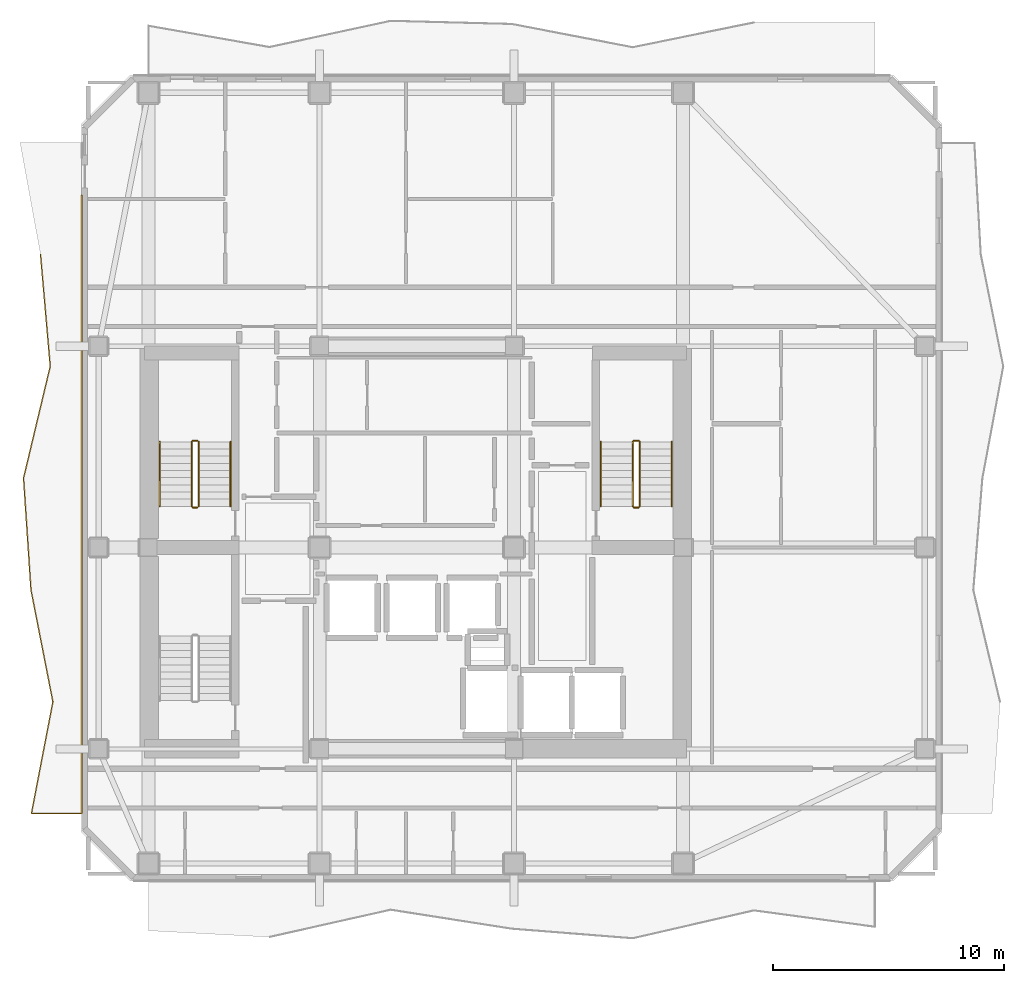
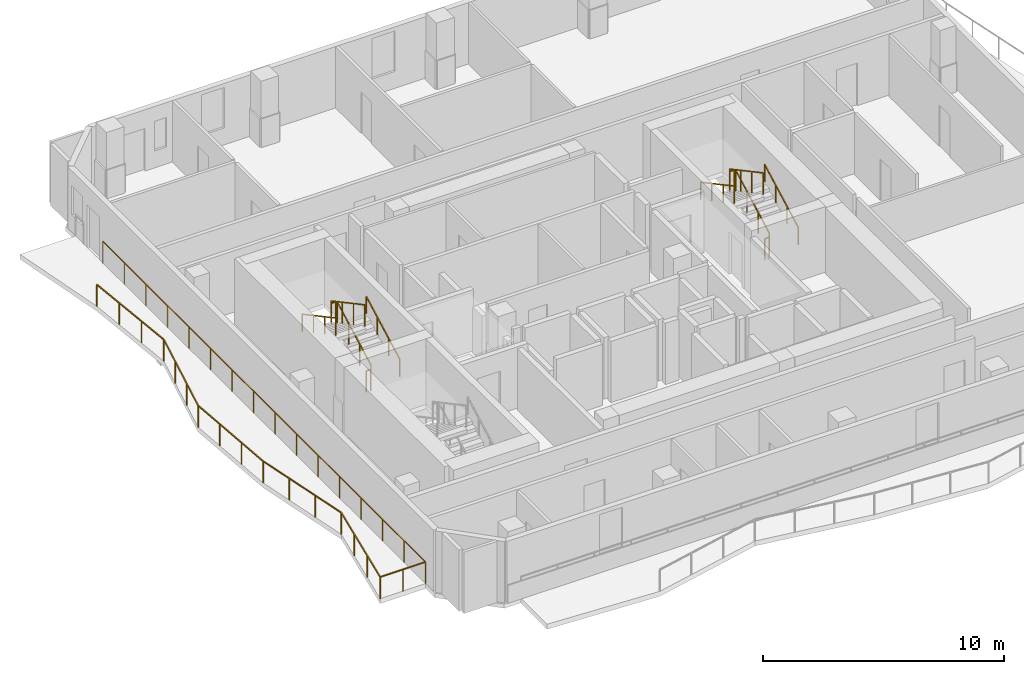
# One storey, part 8 of 9: 13 railings.
"""IFC4 building model written with IfcOpenShell, lengths in metres."""

from ifc_helpers import new_model, si_unit, direction, frame, origin, origin_2d, place, context, subcontext, project, spatial, rectangle, extrude, material, type_object, element, save


model = new_model("IFC4")

# Units and contexts
model_context = context("Model", 3, precision=1e-05, world=origin(), true_north=direction((0.0, 1.0)))
body_context = subcontext(model_context, "Body", "Model", "MODEL_VIEW")
ifc_project = project(units=[si_unit("LENGTHUNIT", "METRE"), si_unit("AREAUNIT", "SQUARE_METRE"), si_unit("VOLUMEUNIT", "CUBIC_METRE"), si_unit("PLANEANGLEUNIT", "RADIAN"), si_unit("MASSUNIT", "GRAM", prefix="KILO")], contexts=[model_context])

# Site, building, storey
site_placement = place(None, origin())
site = spatial("IfcSite", under=ifc_project, at=site_placement, CompositionType="ELEMENT")
building_placement = place(site_placement, origin())
building = spatial("IfcBuilding", under=site, at=building_placement, Name="Solanera Arch Residences", CompositionType="ELEMENT")
storey_placement = place(building_placement, frame((0.0, 0.0, 237.919921875)))
storey = spatial("IfcBuildingStorey", under=building, at=storey_placement, Name="L69", CompositionType="ELEMENT", Elevation=237.919921875)

# Railings
ifc_material_1 = material(Name="Steel S355 (ASTM A992 / A572 Grade 50)", Category="steel")
railing_type_1 = type_object("IfcRailingType", Name="Balustrade Railing BL-1100", PredefinedType="BALUSTRADE", material=ifc_material_1)
railing_1_placement = place(storey_placement, frame((8.735107421875, 43.366943359375, 0.0)))
element("IfcRailing", 1, at=railing_1_placement, inside=storey, type_object=railing_type_1, Name="L69 W Balcony Balustrade 1", PredefinedType="BALUSTRADE", context=body_context, shape_type="SweptSolid", body=[
    extrude(rectangle(XDim=0.048095703125, YDim=0.048095703125, at=origin_2d()), frame((0.0, 0.0, 1.09619140625), z_axis=(0.08654276741, -0.996248136465, 0.0), x_axis=(0.996248136465, 0.08654276741, 0.0)), (0.0, 0.0, 1.0), 4.852294921875),
    extrude(rectangle(XDim=0.048095703125, YDim=0.048095703125, at=origin_2d()), frame((0.419921875, -4.833984375, 1.09619140625), z_axis=(-0.23207000339, -0.972699086833, 0.0), x_axis=(0.972699086833, -0.23207000339, 0.0)), (0.0, 0.0, 1.0), 4.96875),
    extrude(rectangle(XDim=0.048095703125, YDim=0.048095703125, at=origin_2d()), frame((-0.733154296875, -9.6669921875, 1.09619140625), z_axis=(0.06628148456, -0.997800964524, 0.0), x_axis=(0.997800964524, 0.06628148456, 0.0)), (0.0, 0.0, 1.0), 4.84375),
    extrude(rectangle(XDim=0.048095703125, YDim=0.048095703125, at=origin_2d()), frame((-0.412109375, -14.5, 1.09619140625), z_axis=(0.192254429315, -0.981345114834, 0.0), x_axis=(0.981345114834, 0.192254429315, 0.0)), (0.0, 0.0, 1.0), 4.92578125),
    extrude(rectangle(XDim=0.048095703125, YDim=0.048095703125, at=origin_2d()), frame((0.534912109375, -19.333984375, 1.09619140625), z_axis=(-0.188755396587, -0.982024134255, 0.0), x_axis=(0.982024134255, -0.188755396587, 0.0)), (0.0, 0.0, 1.0), 4.92138671875),
    extrude(rectangle(XDim=0.048095703125, YDim=0.048095703125, at=origin_2d()), frame((-0.39404296875, -24.1669921875, 1.09619140625), z_axis=(1.0, 0.0, 0.0), x_axis=(0.0, 1.0, 0.0)), (0.0, 0.0, 1.0), 2.178955078125),
    extrude(rectangle(XDim=0.048095703125, YDim=0.048095703125, at=origin_2d()), frame((1.784912109375, -24.1669921875, 1.09619140625), z_axis=(0.0, 1.0, 0.0), x_axis=(-1.0, 0.0, 0.0)), (0.0, 0.0, 1.0), 26.739990234375),
    extrude(rectangle(XDim=0.0419921875, YDim=0.0419921875, at=origin_2d()), origin(), (0.0, 0.0, 1.0), 1.072021484375),
    extrude(rectangle(XDim=0.0419921875, YDim=0.0419921875, at=origin_2d()), frame((0.139892578125, -1.611328125, 0.0)), (0.0, 0.0, 1.0), 1.072021484375),
    extrude(rectangle(XDim=0.0419921875, YDim=0.0419921875, at=origin_2d()), frame((0.280029296875, -3.22265625, 0.0)), (0.0, 0.0, 1.0), 1.072021484375),
    extrude(rectangle(XDim=0.0419921875, YDim=0.0419921875, at=origin_2d()), frame((0.419921875, -4.833984375, 0.0)), (0.0, 0.0, 1.0), 1.072021484375),
    extrude(rectangle(XDim=0.0419921875, YDim=0.0419921875, at=origin_2d()), frame((0.03564453125, -6.445068359375, 0.0)), (0.0, 0.0, 1.0), 1.072021484375),
    extrude(rectangle(XDim=0.0419921875, YDim=0.0419921875, at=origin_2d()), frame((-0.348876953125, -8.055908203125, 0.0)), (0.0, 0.0, 1.0), 1.072021484375),
    extrude(rectangle(XDim=0.0419921875, YDim=0.0419921875, at=origin_2d()), frame((-0.733154296875, -9.6669921875, 0.0)), (0.0, 0.0, 1.0), 1.072021484375),
    extrude(rectangle(XDim=0.0419921875, YDim=0.0419921875, at=origin_2d()), frame((-0.626220703125, -11.278076171875, 0.0)), (0.0, 0.0, 1.0), 1.072021484375),
    extrude(rectangle(XDim=0.0419921875, YDim=0.0419921875, at=origin_2d()), frame((-0.51904296875, -12.888916015625, 0.0)), (0.0, 0.0, 1.0), 1.072021484375),
    extrude(rectangle(XDim=0.0419921875, YDim=0.0419921875, at=origin_2d()), frame((-0.412109375, -14.5, 0.0)), (0.0, 0.0, 1.0), 1.072021484375),
    extrude(rectangle(XDim=0.0419921875, YDim=0.0419921875, at=origin_2d()), frame((-0.096435546875, -16.111328125, 0.0)), (0.0, 0.0, 1.0), 1.072021484375),
    extrude(rectangle(XDim=0.0419921875, YDim=0.0419921875, at=origin_2d()), frame((0.21923828125, -17.72265625, 0.0)), (0.0, 0.0, 1.0), 1.072021484375),
    extrude(rectangle(XDim=0.0419921875, YDim=0.0419921875, at=origin_2d()), frame((0.534912109375, -19.333984375, 0.0)), (0.0, 0.0, 1.0), 1.072021484375),
    extrude(rectangle(XDim=0.0419921875, YDim=0.0419921875, at=origin_2d()), frame((0.225341796875, -20.945068359375, 0.0)), (0.0, 0.0, 1.0), 1.072021484375),
    extrude(rectangle(XDim=0.0419921875, YDim=0.0419921875, at=origin_2d()), frame((-0.08447265625, -22.555908203125, 0.0)), (0.0, 0.0, 1.0), 1.072021484375),
    extrude(rectangle(XDim=0.0419921875, YDim=0.0419921875, at=origin_2d()), frame((-0.39404296875, -24.1669921875, 0.0)), (0.0, 0.0, 1.0), 1.072021484375),
    extrude(rectangle(XDim=0.0419921875, YDim=0.0419921875, at=origin_2d()), frame((0.6953125, -24.1669921875, 0.0)), (0.0, 0.0, 1.0), 1.072021484375),
    extrude(rectangle(XDim=0.0419921875, YDim=0.0419921875, at=origin_2d()), frame((1.784912109375, -24.1669921875, 0.0)), (0.0, 0.0, 1.0), 1.072021484375),
    extrude(rectangle(XDim=0.0419921875, YDim=0.0419921875, at=origin_2d()), frame((1.784912109375, -22.38427734375, 0.0)), (0.0, 0.0, 1.0), 1.072021484375),
    extrude(rectangle(XDim=0.0419921875, YDim=0.0419921875, at=origin_2d()), frame((1.784912109375, -20.6015625, 0.0)), (0.0, 0.0, 1.0), 1.072021484375),
    extrude(rectangle(XDim=0.0419921875, YDim=0.0419921875, at=origin_2d()), frame((1.784912109375, -18.819091796875, 0.0)), (0.0, 0.0, 1.0), 1.072021484375),
    extrude(rectangle(XDim=0.0419921875, YDim=0.0419921875, at=origin_2d()), frame((1.784912109375, -17.036376953125, 0.0)), (0.0, 0.0, 1.0), 1.072021484375),
    extrude(rectangle(XDim=0.0419921875, YDim=0.0419921875, at=origin_2d()), frame((1.784912109375, -15.253662109375, 0.0)), (0.0, 0.0, 1.0), 1.072021484375),
    extrude(rectangle(XDim=0.0419921875, YDim=0.0419921875, at=origin_2d()), frame((1.784912109375, -13.470947265625, 0.0)), (0.0, 0.0, 1.0), 1.072021484375),
    extrude(rectangle(XDim=0.0419921875, YDim=0.0419921875, at=origin_2d()), frame((1.784912109375, -11.688232421875, 0.0)), (0.0, 0.0, 1.0), 1.072021484375),
    extrude(rectangle(XDim=0.0419921875, YDim=0.0419921875, at=origin_2d()), frame((1.784912109375, -9.90576171875, 0.0)), (0.0, 0.0, 1.0), 1.072021484375),
    extrude(rectangle(XDim=0.0419921875, YDim=0.0419921875, at=origin_2d()), frame((1.784912109375, -8.123046875, 0.0)), (0.0, 0.0, 1.0), 1.072021484375),
    extrude(rectangle(XDim=0.0419921875, YDim=0.0419921875, at=origin_2d()), frame((1.784912109375, -6.34033203125, 0.0)), (0.0, 0.0, 1.0), 1.072021484375),
    extrude(rectangle(XDim=0.0419921875, YDim=0.0419921875, at=origin_2d()), frame((1.784912109375, -4.5576171875, 0.0)), (0.0, 0.0, 1.0), 1.072021484375),
    extrude(rectangle(XDim=0.0419921875, YDim=0.0419921875, at=origin_2d()), frame((1.784912109375, -2.77490234375, 0.0)), (0.0, 0.0, 1.0), 1.072021484375),
    extrude(rectangle(XDim=0.0419921875, YDim=0.0419921875, at=origin_2d()), frame((1.784912109375, -0.992431640625, 0.0)), (0.0, 0.0, 1.0), 1.072021484375),
    extrude(rectangle(XDim=0.0419921875, YDim=0.0419921875, at=origin_2d()), frame((1.784912109375, 0.790283203125, 0.0)), (0.0, 0.0, 1.0), 1.072021484375),
    extrude(rectangle(XDim=0.0419921875, YDim=0.0419921875, at=origin_2d()), frame((1.784912109375, 2.572998046875, 0.0)), (0.0, 0.0, 1.0), 1.072021484375),
])
ifc_material_2 = material(Name="Steel S355 (ASTM A992 / A572 Grade 50)", Category="steel")
railing_type_2 = type_object("IfcRailingType", Name="Stair Guardrail GR-1100", PredefinedType="GUARDRAIL", material=ifc_material_2)
railing_2_placement = place(storey_placement, frame((15.570068359375, 32.47998046875, 0.151123046875)))
element("IfcRailing", 2, at=railing_2_placement, inside=storey, type_object=railing_type_2, Name="L69 ST-T1 stair guard 1", PredefinedType="GUARDRAIL", context=body_context, shape_type="SweptSolid", body=[
    extrude(rectangle(XDim=0.048095703125, YDim=0.048095703125, at=origin_2d()), frame((0.0, 0.0, 1.076171875), z_axis=(0.0, 0.881580869306, 0.472033018838), x_axis=(-1.0, 0.0, 0.0)), (0.0, 0.0, 1.0), 3.164794921875),
    extrude(rectangle(XDim=0.0419921875, YDim=0.0419921875, at=origin_2d()), origin(), (0.0, 0.0, 1.0), 1.052001953125),
    extrude(rectangle(XDim=0.0419921875, YDim=0.0419921875, at=origin_2d()), frame((0.0, 0.929931640625, 0.498046875)), (0.0, 0.0, 1.0), 1.052001953125),
    extrude(rectangle(XDim=0.0419921875, YDim=0.0419921875, at=origin_2d()), frame((0.0, 1.860107421875, 0.995849609375)), (0.0, 0.0, 1.0), 1.052001953125),
    extrude(rectangle(XDim=0.0419921875, YDim=0.0419921875, at=origin_2d()), frame((0.0, 2.7900390625, 1.493896484375)), (0.0, 0.0, 1.0), 1.052001953125),
])
railing_3_placement = place(storey_placement, frame((15.52001953125, 35.320068359375, 1.64501953125)))
element("IfcRailing", 3, at=railing_3_placement, inside=storey, type_object=railing_type_2, Name="L69 ST-T1 stair guard 2", PredefinedType="GUARDRAIL", context=body_context, shape_type="SweptSolid", body=[
    extrude(rectangle(XDim=0.048095703125, YDim=0.048095703125, at=origin_2d()), frame((0.0, 0.0, 1.076171875), z_axis=(-1.0, 0.0, 0.0), x_axis=(0.0, -1.0, 0.0)), (0.0, 0.0, 1.0), 0.199951171875),
    extrude(rectangle(XDim=0.0419921875, YDim=0.0419921875, at=origin_2d()), origin(), (0.0, 0.0, 1.0), 1.052001953125),
    extrude(rectangle(XDim=0.0419921875, YDim=0.0419921875, at=origin_2d()), frame((-0.199951171875, 0.0, 0.0)), (0.0, 0.0, 1.0), 1.052001953125),
])
railing_4_placement = place(storey_placement, frame((15.27001953125, 35.27001953125, 1.81103515625)))
element("IfcRailing", 4, at=railing_4_placement, inside=storey, type_object=railing_type_2, Name="L69 ST-T1 stair guard 3", PredefinedType="GUARDRAIL", context=body_context, shape_type="SweptSolid", body=[
    extrude(rectangle(XDim=0.048095703125, YDim=0.048095703125, at=origin_2d()), frame((0.0, 0.0, 1.076171875), z_axis=(0.0, -0.881548766853, 0.472092969298), x_axis=(1.0, 0.0, 0.0)), (0.0, 0.0, 1.0), 3.1650390625),
    extrude(rectangle(XDim=0.0419921875, YDim=0.0419921875, at=origin_2d()), origin(), (0.0, 0.0, 1.0), 1.052001953125),
    extrude(rectangle(XDim=0.0419921875, YDim=0.0419921875, at=origin_2d()), frame((0.0, -0.929931640625, 0.498046875)), (0.0, 0.0, 1.0), 1.052001953125),
    extrude(rectangle(XDim=0.0419921875, YDim=0.0419921875, at=origin_2d()), frame((0.0, -1.860107421875, 0.99609375)), (0.0, 0.0, 1.0), 1.052001953125),
    extrude(rectangle(XDim=0.0419921875, YDim=0.0419921875, at=origin_2d()), frame((0.0, -2.7900390625, 1.494140625)), (0.0, 0.0, 1.0), 1.052001953125),
])
railing_5_placement = place(storey_placement, frame((15.52001953125, 32.429931640625, -0.014892578125)))
element("IfcRailing", 5, at=railing_5_placement, inside=storey, type_object=railing_type_2, Name="L69 ST-T1 stair guard 4", PredefinedType="GUARDRAIL", context=body_context, shape_type="SweptSolid", body=[
    extrude(rectangle(XDim=0.048095703125, YDim=0.048095703125, at=origin_2d()), frame((0.0, 0.0, 1.076171875), z_axis=(-1.0, 0.0, 0.0), x_axis=(0.0, -1.0, 0.0)), (0.0, 0.0, 1.0), 0.199951171875),
    extrude(rectangle(XDim=0.0419921875, YDim=0.0419921875, at=origin_2d()), origin(), (0.0, 0.0, 1.0), 1.052001953125),
    extrude(rectangle(XDim=0.0419921875, YDim=0.0419921875, at=origin_2d()), frame((-0.199951171875, 0.0, 0.0)), (0.0, 0.0, 1.0), 1.052001953125),
])
railing_6_placement = place(storey_placement, frame((34.6298828125, 32.47998046875, 0.151123046875)))
element("IfcRailing", 6, at=railing_6_placement, inside=storey, type_object=railing_type_2, Name="L69 ST-T2 stair guard 1", PredefinedType="GUARDRAIL", context=body_context, shape_type="SweptSolid", body=[
    extrude(rectangle(XDim=0.048095703125, YDim=0.048095703125, at=origin_2d()), frame((0.0, 0.0, 1.076171875), z_axis=(0.0, 0.881580869306, 0.472033018838), x_axis=(-1.0, 0.0, 0.0)), (0.0, 0.0, 1.0), 3.164794921875),
    extrude(rectangle(XDim=0.0419921875, YDim=0.0419921875, at=origin_2d()), origin(), (0.0, 0.0, 1.0), 1.052001953125),
    extrude(rectangle(XDim=0.0419921875, YDim=0.0419921875, at=origin_2d()), frame((0.0, 0.929931640625, 0.498046875)), (0.0, 0.0, 1.0), 1.052001953125),
    extrude(rectangle(XDim=0.0419921875, YDim=0.0419921875, at=origin_2d()), frame((0.0, 1.860107421875, 0.995849609375)), (0.0, 0.0, 1.0), 1.052001953125),
    extrude(rectangle(XDim=0.0419921875, YDim=0.0419921875, at=origin_2d()), frame((0.0, 2.7900390625, 1.493896484375)), (0.0, 0.0, 1.0), 1.052001953125),
])
railing_7_placement = place(storey_placement, frame((34.580078125, 35.320068359375, 1.64501953125)))
element("IfcRailing", 7, at=railing_7_placement, inside=storey, type_object=railing_type_2, Name="L69 ST-T2 stair guard 2", PredefinedType="GUARDRAIL", context=body_context, shape_type="SweptSolid", body=[
    extrude(rectangle(XDim=0.048095703125, YDim=0.048095703125, at=origin_2d()), frame((0.0, 0.0, 1.076171875), z_axis=(-1.0, 0.0, 0.0), x_axis=(0.0, -1.0, 0.0)), (0.0, 0.0, 1.0), 0.2001953125),
    extrude(rectangle(XDim=0.0419921875, YDim=0.0419921875, at=origin_2d()), origin(), (0.0, 0.0, 1.0), 1.052001953125),
    extrude(rectangle(XDim=0.0419921875, YDim=0.0419921875, at=origin_2d()), frame((-0.2001953125, 0.0, 0.0)), (0.0, 0.0, 1.0), 1.052001953125),
])
railing_8_placement = place(storey_placement, frame((34.330078125, 35.27001953125, 1.81103515625)))
element("IfcRailing", 8, at=railing_8_placement, inside=storey, type_object=railing_type_2, Name="L69 ST-T2 stair guard 3", PredefinedType="GUARDRAIL", context=body_context, shape_type="SweptSolid", body=[
    extrude(rectangle(XDim=0.048095703125, YDim=0.048095703125, at=origin_2d()), frame((0.0, 0.0, 1.076171875), z_axis=(0.0, -0.881548766853, 0.472092969298), x_axis=(1.0, 0.0, 0.0)), (0.0, 0.0, 1.0), 3.1650390625),
    extrude(rectangle(XDim=0.0419921875, YDim=0.0419921875, at=origin_2d()), origin(), (0.0, 0.0, 1.0), 1.052001953125),
    extrude(rectangle(XDim=0.0419921875, YDim=0.0419921875, at=origin_2d()), frame((0.0, -0.929931640625, 0.498046875)), (0.0, 0.0, 1.0), 1.052001953125),
    extrude(rectangle(XDim=0.0419921875, YDim=0.0419921875, at=origin_2d()), frame((0.0, -1.860107421875, 0.99609375)), (0.0, 0.0, 1.0), 1.052001953125),
    extrude(rectangle(XDim=0.0419921875, YDim=0.0419921875, at=origin_2d()), frame((0.0, -2.7900390625, 1.494140625)), (0.0, 0.0, 1.0), 1.052001953125),
])
railing_9_placement = place(storey_placement, frame((34.580078125, 32.429931640625, -0.014892578125)))
element("IfcRailing", 9, at=railing_9_placement, inside=storey, type_object=railing_type_2, Name="L69 ST-T2 stair guard 4", PredefinedType="GUARDRAIL", context=body_context, shape_type="SweptSolid", body=[
    extrude(rectangle(XDim=0.048095703125, YDim=0.048095703125, at=origin_2d()), frame((0.0, 0.0, 1.076171875), z_axis=(-1.0, 0.0, 0.0), x_axis=(0.0, -1.0, 0.0)), (0.0, 0.0, 1.0), 0.2001953125),
    extrude(rectangle(XDim=0.0419921875, YDim=0.0419921875, at=origin_2d()), origin(), (0.0, 0.0, 1.0), 1.052001953125),
    extrude(rectangle(XDim=0.0419921875, YDim=0.0419921875, at=origin_2d()), frame((-0.2001953125, 0.0, 0.0)), (0.0, 0.0, 1.0), 1.052001953125),
])
ifc_material_3 = material(Name="Steel S355 (ASTM A992 / A572 Grade 50)", Category="steel")
railing_type_3 = type_object("IfcRailingType", Name="Stair Wall Handrail HR-920", PredefinedType="HANDRAIL", material=ifc_material_3)
railing_10_placement = place(storey_placement, frame((16.949951171875, 32.47998046875, 0.166015625)))
element("IfcRailing", 10, at=railing_10_placement, inside=storey, type_object=railing_type_3, Name="L69 ST-T1 stair handrail 1", PredefinedType="HANDRAIL", context=body_context, shape_type="SweptSolid", body=[
    extrude(rectangle(XDim=0.048095703125, YDim=0.048095703125, at=origin_2d()), frame((0.0, 0.0, 0.8759765625), z_axis=(0.0, 0.881548766853, 0.472092969298), x_axis=(-1.0, 0.0, 0.0)), (0.0, 0.0, 1.0), 3.1650390625),
    extrude(rectangle(XDim=0.0419921875, YDim=0.0419921875, at=origin_2d()), origin(), (0.0, 0.0, 1.0), 0.851806640625),
    extrude(rectangle(XDim=0.0419921875, YDim=0.0419921875, at=origin_2d()), frame((0.0, 0.929931640625, 0.498046875)), (0.0, 0.0, 1.0), 0.851806640625),
    extrude(rectangle(XDim=0.0419921875, YDim=0.0419921875, at=origin_2d()), frame((0.0, 1.860107421875, 0.99609375)), (0.0, 0.0, 1.0), 0.851806640625),
    extrude(rectangle(XDim=0.0419921875, YDim=0.0419921875, at=origin_2d()), frame((0.0, 2.7900390625, 1.494140625)), (0.0, 0.0, 1.0), 0.851806640625),
])
railing_11_placement = place(storey_placement, frame((13.889892578125, 35.27001953125, 1.826171875)))
element("IfcRailing", 11, at=railing_11_placement, inside=storey, type_object=railing_type_3, Name="L69 ST-T1 stair handrail 2", PredefinedType="HANDRAIL", context=body_context, shape_type="SweptSolid", body=[
    extrude(rectangle(XDim=0.048095703125, YDim=0.048095703125, at=origin_2d()), frame((0.0, 0.0, 0.8759765625), z_axis=(0.0, -0.881580869306, 0.472033018838), x_axis=(1.0, 0.0, 0.0)), (0.0, 0.0, 1.0), 3.164794921875),
    extrude(rectangle(XDim=0.0419921875, YDim=0.0419921875, at=origin_2d()), origin(), (0.0, 0.0, 1.0), 0.851806640625),
    extrude(rectangle(XDim=0.0419921875, YDim=0.0419921875, at=origin_2d()), frame((0.0, -0.929931640625, 0.498046875)), (0.0, 0.0, 1.0), 0.851806640625),
    extrude(rectangle(XDim=0.0419921875, YDim=0.0419921875, at=origin_2d()), frame((0.0, -1.860107421875, 0.995849609375)), (0.0, 0.0, 1.0), 0.851806640625),
    extrude(rectangle(XDim=0.0419921875, YDim=0.0419921875, at=origin_2d()), frame((0.0, -2.7900390625, 1.493896484375)), (0.0, 0.0, 1.0), 0.851806640625),
])
railing_12_placement = place(storey_placement, frame((36.010009765625, 32.47998046875, 0.166015625)))
element("IfcRailing", 12, at=railing_12_placement, inside=storey, type_object=railing_type_3, Name="L69 ST-T2 stair handrail 1", PredefinedType="HANDRAIL", context=body_context, shape_type="SweptSolid", body=[
    extrude(rectangle(XDim=0.048095703125, YDim=0.048095703125, at=origin_2d()), frame((0.0, 0.0, 0.8759765625), z_axis=(0.0, 0.881548766853, 0.472092969298), x_axis=(-1.0, 0.0, 0.0)), (0.0, 0.0, 1.0), 3.1650390625),
    extrude(rectangle(XDim=0.0419921875, YDim=0.0419921875, at=origin_2d()), origin(), (0.0, 0.0, 1.0), 0.851806640625),
    extrude(rectangle(XDim=0.0419921875, YDim=0.0419921875, at=origin_2d()), frame((0.0, 0.929931640625, 0.498046875)), (0.0, 0.0, 1.0), 0.851806640625),
    extrude(rectangle(XDim=0.0419921875, YDim=0.0419921875, at=origin_2d()), frame((0.0, 1.860107421875, 0.99609375)), (0.0, 0.0, 1.0), 0.851806640625),
    extrude(rectangle(XDim=0.0419921875, YDim=0.0419921875, at=origin_2d()), frame((0.0, 2.7900390625, 1.494140625)), (0.0, 0.0, 1.0), 0.851806640625),
])
railing_13_placement = place(storey_placement, frame((32.949951171875, 35.27001953125, 1.826171875)))
element("IfcRailing", 13, at=railing_13_placement, inside=storey, type_object=railing_type_3, Name="L69 ST-T2 stair handrail 2", PredefinedType="HANDRAIL", context=body_context, shape_type="SweptSolid", body=[
    extrude(rectangle(XDim=0.048095703125, YDim=0.048095703125, at=origin_2d()), frame((0.0, 0.0, 0.8759765625), z_axis=(0.0, -0.881580869306, 0.472033018838), x_axis=(1.0, 0.0, 0.0)), (0.0, 0.0, 1.0), 3.164794921875),
    extrude(rectangle(XDim=0.0419921875, YDim=0.0419921875, at=origin_2d()), origin(), (0.0, 0.0, 1.0), 0.851806640625),
    extrude(rectangle(XDim=0.0419921875, YDim=0.0419921875, at=origin_2d()), frame((0.0, -0.929931640625, 0.498046875)), (0.0, 0.0, 1.0), 0.851806640625),
    extrude(rectangle(XDim=0.0419921875, YDim=0.0419921875, at=origin_2d()), frame((0.0, -1.860107421875, 0.995849609375)), (0.0, 0.0, 1.0), 0.851806640625),
    extrude(rectangle(XDim=0.0419921875, YDim=0.0419921875, at=origin_2d()), frame((0.0, -2.7900390625, 1.493896484375)), (0.0, 0.0, 1.0), 0.851806640625),
])

save(model, "model.ifc")
